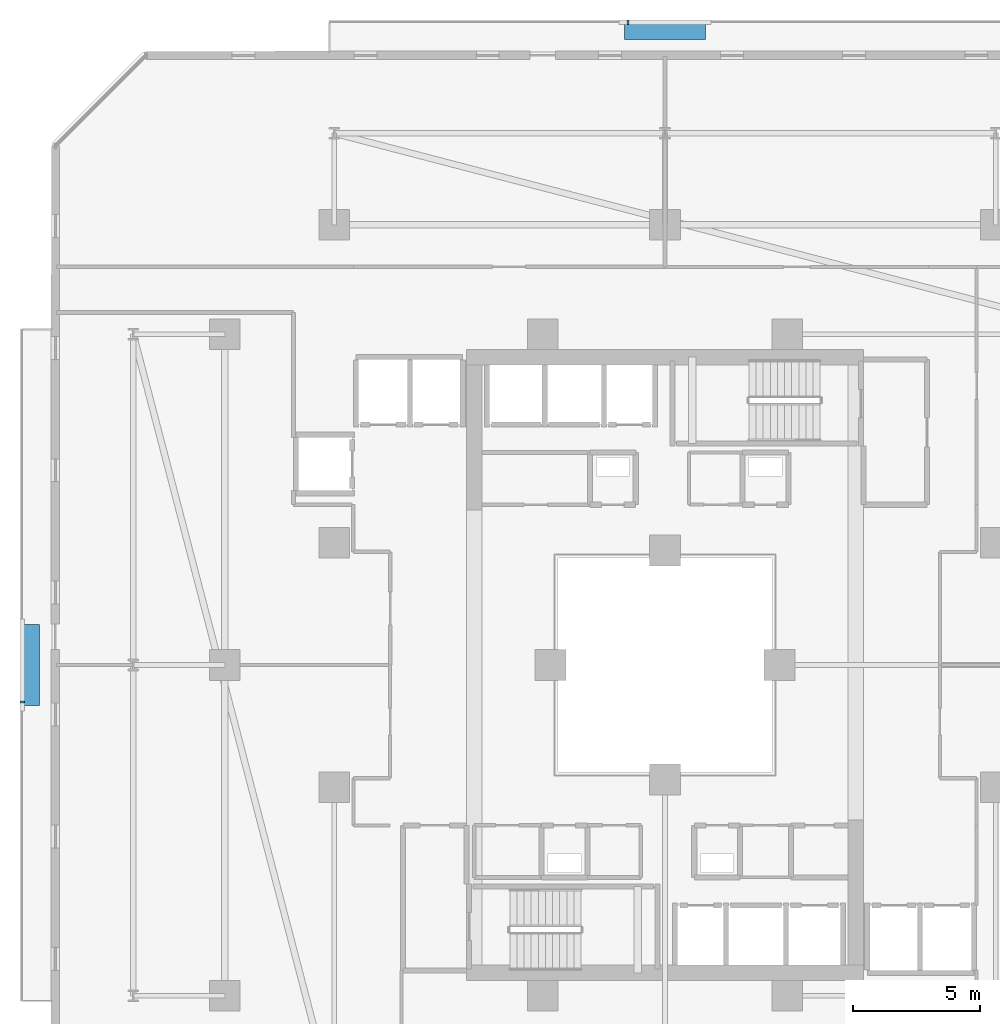
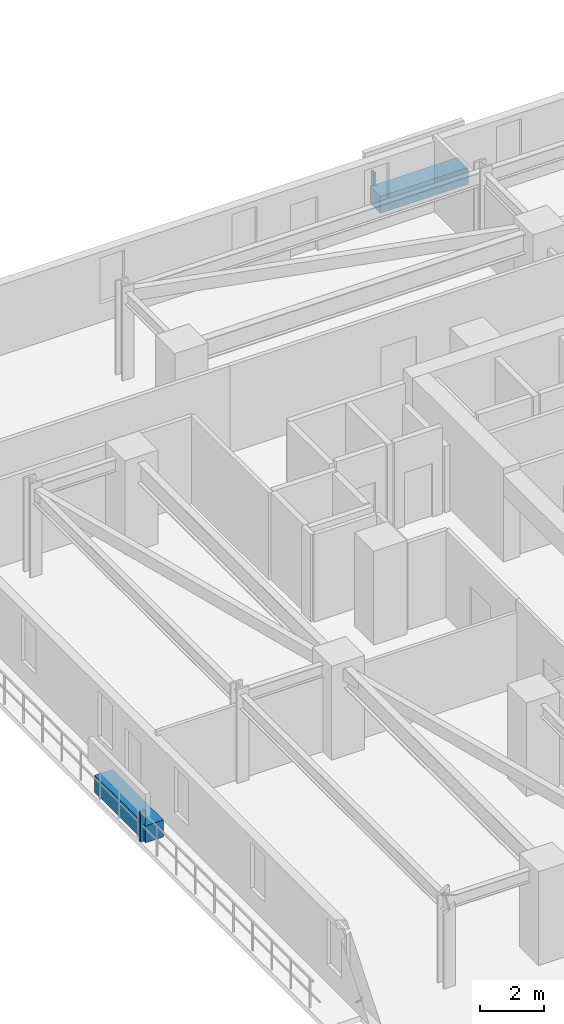
# One storey, part 28 of 33: 4 discrete accessories.
"""IFC4 building model written with IfcOpenShell, lengths in metres."""

from ifc_helpers import new_model, si_unit, direction, frame, origin, origin_2d, place, context, subcontext, project, spatial, rectangle, extrude, material, type_object, element, save


model = new_model("IFC4")

# Units and contexts
model_context = context("Model", 3, precision=1e-05, world=origin(), true_north=direction((0.0, 1.0)))
body_context = subcontext(model_context, "Body", "Model", "MODEL_VIEW")
ifc_project = project(units=[si_unit("LENGTHUNIT", "METRE"), si_unit("AREAUNIT", "SQUARE_METRE"), si_unit("VOLUMEUNIT", "CUBIC_METRE"), si_unit("PLANEANGLEUNIT", "RADIAN"), si_unit("MASSUNIT", "GRAM", prefix="KILO")], contexts=[model_context])

# Site, building, storey
site_placement = place(None, origin())
site = spatial("IfcSite", under=ifc_project, at=site_placement, CompositionType="ELEMENT")
building_placement = place(site_placement, origin())
building = spatial("IfcBuilding", under=site, at=building_placement, Name="Thornwick Lancets Civic Towers", CompositionType="ELEMENT")
storey_placement = place(building_placement, frame((0.0, 0.0, 105.300048828125)))
storey = spatial("IfcBuildingStorey", under=building, at=storey_placement, Name="L27", CompositionType="ELEMENT", Elevation=105.300048828125)

# Discrete accessories
ifc_material_1 = material(Name="Planted terracotta greenery planter", Category="masonry")
discrete_accessory_type_1 = type_object("IfcDiscreteAccessoryType", Name="ACC_PLANTER_BOX", PredefinedType="USERDEFINED", material=ifc_material_1)
discrete_accessory_1_placement = place(storey_placement, frame((25.5, 51.89990234375, 0.0), z_axis=(0.0, 0.0, 1.0), x_axis=(1.0, 0.0, 0.0)))
element("IfcDiscreteAccessory", 1, at=discrete_accessory_1_placement, inside=storey, type_object=discrete_accessory_type_1, Name="L27 Tower A Balcony Greenery Planter N", ObjectType="PLANTER", PredefinedType="USERDEFINED", context=body_context, shape_type="SweptSolid", body=[
    extrude(rectangle(XDim=3.199951171875, YDim=0.64990234375, at=origin_2d()), origin(), (0.0, 0.0, 1.0), 0.64990234375),
])
discrete_accessory_2_placement = place(storey_placement, frame((0.60009765625, 27.0, 0.0), z_axis=(0.0, 0.0, 1.0), x_axis=(1.0, 0.0, 0.0)))
element("IfcDiscreteAccessory", 2, at=discrete_accessory_2_placement, inside=storey, type_object=discrete_accessory_type_1, Name="L27 Tower A Balcony Greenery Planter W", ObjectType="PLANTER", PredefinedType="USERDEFINED", context=body_context, shape_type="SweptSolid", body=[
    extrude(rectangle(XDim=0.64990234375, YDim=3.199951171875, at=origin_2d()), origin(), (0.0, 0.0, 1.0), 0.64990234375),
])
ifc_material_2 = material(Name="Stainless steel S355", Category="steel")
discrete_accessory_type_2 = type_object("IfcDiscreteAccessoryType", Name="ACC_SCREEN_BRACKET", PredefinedType="BRACKET", material=ifc_material_2)
for number, where, z_axis, x_axis, name in (
    (3, (24.050048828125, 52.260009765625, 0.0), (0.0, 0.0, 1.0), (1.0, 0.0, 0.0), "L27 Tower A Balcony Screen Stanchion Bracket N-1"),
    (4, (0.239990234375, 25.550048828125, 0.0), (0.0, 0.0, 1.0), (0.0, 1.0, 0.0), "L27 Tower A Balcony Screen Stanchion Bracket W-1"),
):
    element("IfcDiscreteAccessory", number, at=place(storey_placement, frame(where, z_axis=z_axis, x_axis=x_axis)), inside=storey, type_object=discrete_accessory_type_2, Name=name, PredefinedType="BRACKET", context=body_context, shape_type="SweptSolid", body=[
        extrude(rectangle(XDim=0.080078125, YDim=0.179931640625, at=origin_2d()), origin(), (0.0, 0.0, 1.0), 1.14990234375),
    ])

save(model, "model.ifc")
